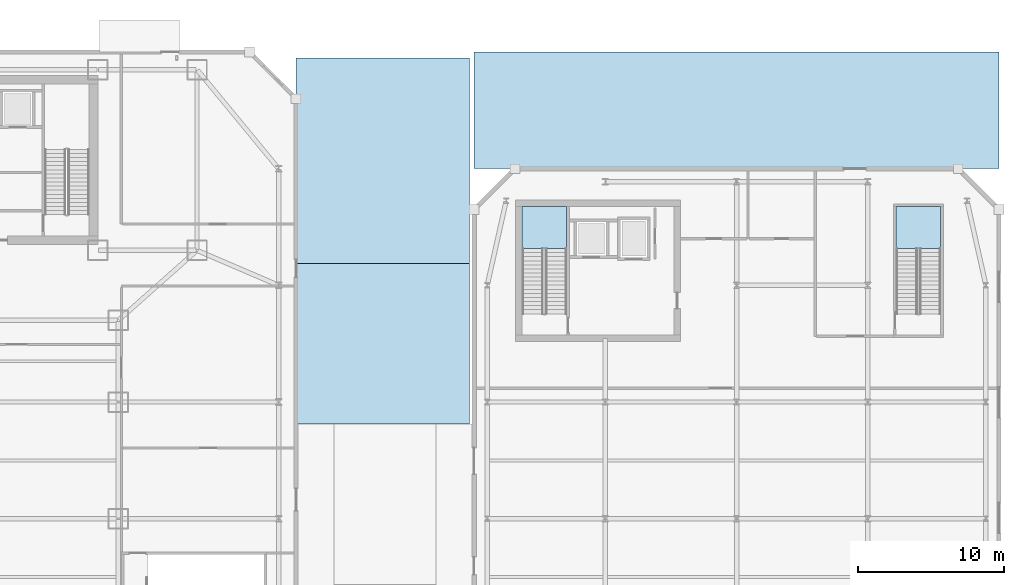
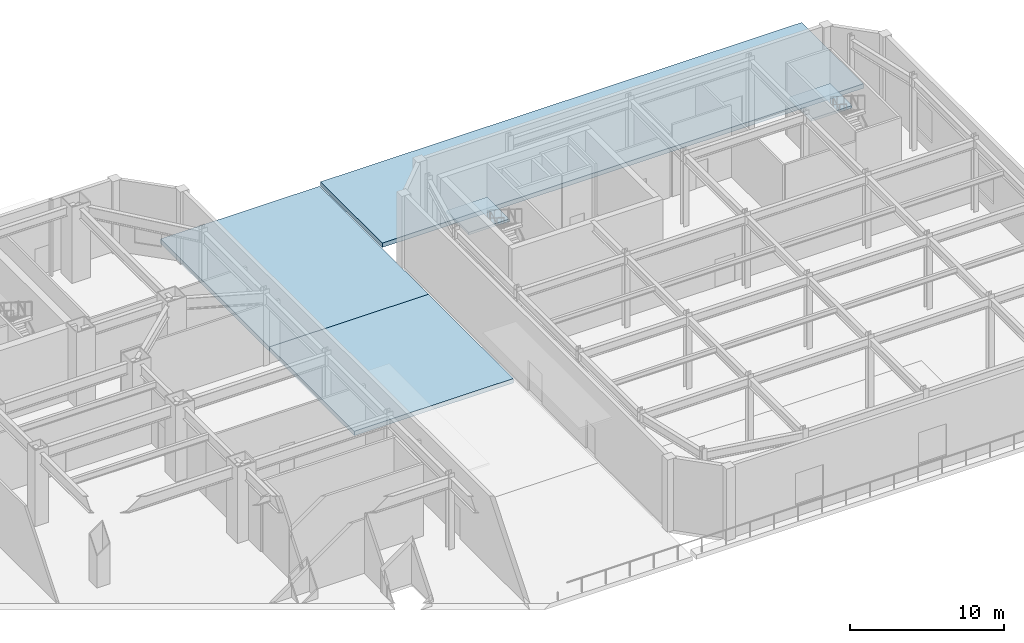
# One storey, part 10 of 23: 5 slabs, 2 elements without a shape of their own.
"""IFC4 building model written with IfcOpenShell, lengths in metres."""

from ifc_helpers import new_model, si_unit, direction, frame, origin, place, context, subcontext, project, spatial, polyline, outline, extrude, material, layer, layer_set, type_object, element, aggregate, save


model = new_model("IFC4")

# Units and contexts
model_context = context("Model", 3, precision=1e-05, world=origin(), true_north=direction((0.0, 1.0)))
body_context = subcontext(model_context, "Body", "Model", "MODEL_VIEW")
ifc_project = project(units=[si_unit("LENGTHUNIT", "METRE"), si_unit("AREAUNIT", "SQUARE_METRE"), si_unit("VOLUMEUNIT", "CUBIC_METRE"), si_unit("PLANEANGLEUNIT", "RADIAN"), si_unit("MASSUNIT", "GRAM", prefix="KILO")], contexts=[model_context])

# Site, building, storey
site_placement = place(None, origin())
site = spatial("IfcSite", under=ifc_project, at=site_placement, CompositionType="ELEMENT")
building_placement = place(site_placement, origin())
building = spatial("IfcBuilding", under=site, at=building_placement, Name="Saevonmaru Cultural Tower", CompositionType="ELEMENT")
storey_placement = place(building_placement, origin())
storey = spatial("IfcBuildingStorey", under=building, at=storey_placement, Name="L00", CompositionType="ELEMENT", Elevation=0.0)

# Slabs
ifc_material_1 = material(Name="Precast concrete C40/50", Category="concrete")
ifc_layer_1 = layer(ifc_material_1, 0.35009765625, Name="Precast concrete C40/50")
ifc_layer_set_1 = layer_set([ifc_layer_1], Name="Precast concrete C40/50")
slab_type_1 = type_object("IfcSlabType", Name="SL-PAVING-350", PredefinedType="USERDEFINED", material=ifc_layer_set_1)
slab_1_placement = place(storey_placement, frame((0.0, 0.0, -0.35009765625)))
element("IfcSlab", 1, at=slab_1_placement, inside=storey, type_object=slab_type_1, Name="Saevon Plaza Granite Paving Panel 3", ObjectType="PAVING", PredefinedType="USERDEFINED", context=body_context, shape_type="SweptSolid", body=[
    extrude(outline(polyline([(60.0, 30.5), (71.89990234375, 30.5), (71.89990234375, 41.5), (60.0, 41.5), (60.0, 30.5)])), origin(), (0.0, 0.0, 1.0), 0.35009765625),
])
slab_2_placement = place(storey_placement, frame((0.0, 0.0, -0.35009765625)))
element("IfcSlab", 2, at=slab_2_placement, inside=storey, type_object=slab_type_1, Name="Saevon Plaza Granite Paving Panel 4", ObjectType="PAVING", PredefinedType="USERDEFINED", context=body_context, shape_type="SweptSolid", body=[
    extrude(outline(polyline([(60.0, 41.5), (71.89990234375, 41.5), (71.89990234375, 55.60009765625), (60.0, 55.60009765625), (60.0, 41.5)])), origin(), (0.0, 0.0, 1.0), 0.35009765625),
])
slab_3_placement = place(storey_placement, frame((0.0, 0.0, -0.35009765625)))
element("IfcSlab", 3, at=slab_3_placement, inside=storey, type_object=slab_type_1, Name="East Forecourt Granite Paving Deck", ObjectType="PAVING", PredefinedType="USERDEFINED", context=body_context, shape_type="SweptSolid", body=[
    extrude(outline(polyline([(72.199951171875, 48.0), (108.199951171875, 48.0), (108.199951171875, 56.0), (72.199951171875, 56.0), (72.199951171875, 48.0)])), origin(), (0.0, 0.0, 1.0), 0.35009765625),
])

# Stair, slab
ifc_material_2 = material(Name="Concrete C40/50", Category="concrete")
stair_type = type_object("IfcStairType", Name="STR-DOGLEG-RC", PredefinedType="HALF_TURN_STAIR", material=ifc_material_2)
stair_1_placement = place(storey_placement, origin())
stair_1 = element("IfcStair", 4, at=stair_1_placement, inside=storey, type_object=stair_type, Name="L00 Protected exit stair LST-1", PredefinedType="HALF_TURN_STAIR")
ifc_layer_2 = layer(ifc_material_2, 0.199951171875, Name="Concrete C40/50")
ifc_layer_set_2 = layer_set([ifc_layer_2], Name="Concrete C40/50")
slab_type_2 = type_object("IfcSlabType", Name="SL-STAIR-LANDING", PredefinedType="LANDING", material=ifc_layer_set_2)
slab_4_placement = place(storey_placement, frame((0.0, 0.0, 2.800048828125)))
slab_4 = element("IfcSlab", 5, at=slab_4_placement, type_object=slab_type_2, Name="LST-1-L00 landing 1", PredefinedType="LANDING", context=body_context, shape_type="SweptSolid", body=[
    extrude(outline(polyline([(78.550048828125, 42.530029296875), (78.550048828125, 45.39990234375), (75.5, 45.39990234375), (75.5, 42.530029296875), (78.550048828125, 42.530029296875)])), origin(), (0.0, 0.0, 1.0), 0.199951171875),
])
aggregate(stair_1, [slab_4])

stair_2_placement = place(storey_placement, origin())
stair_2 = element("IfcStair", 6, at=stair_2_placement, inside=storey, type_object=stair_type, Name="L00 Protected exit stair LST-2", PredefinedType="HALF_TURN_STAIR")
slab_5_placement = place(storey_placement, frame((0.0, 0.0, 2.800048828125)))
slab_5 = element("IfcSlab", 7, at=slab_5_placement, type_object=slab_type_2, Name="LST-2-L00 landing 1", PredefinedType="LANDING", context=body_context, shape_type="SweptSolid", body=[
    extrude(outline(polyline([(104.199951171875, 42.530029296875), (104.199951171875, 45.39990234375), (101.14990234375, 45.39990234375), (101.14990234375, 42.530029296875), (104.199951171875, 42.530029296875)])), origin(), (0.0, 0.0, 1.0), 0.199951171875),
])
aggregate(stair_2, [slab_5])

save(model, "model.ifc")
